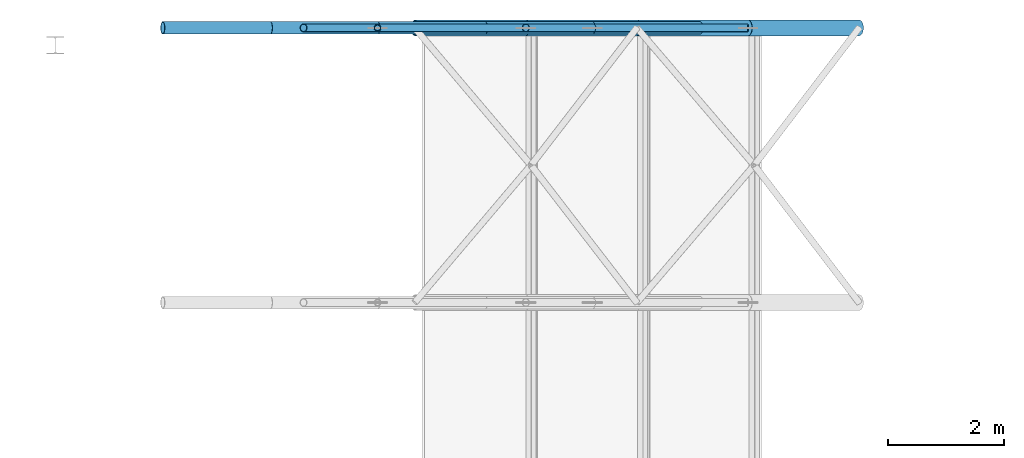
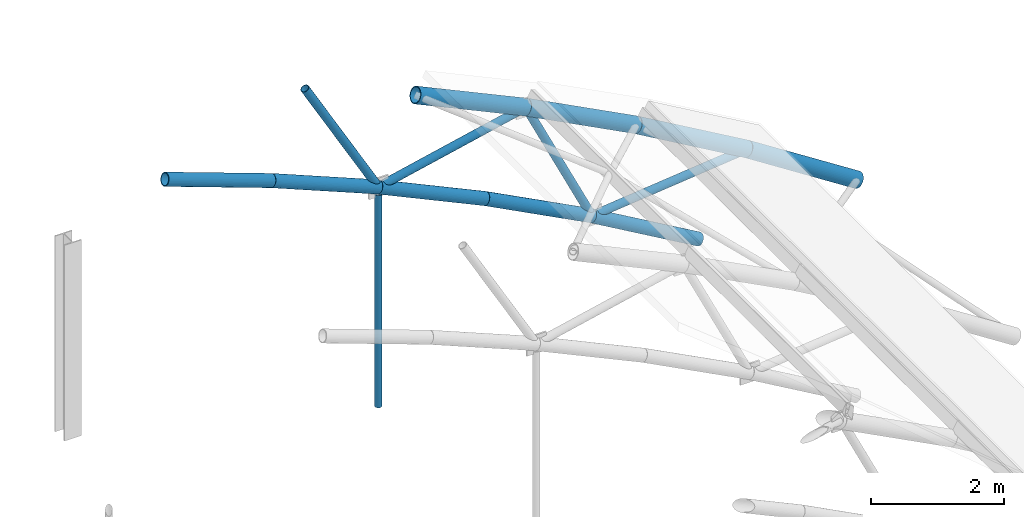
# One storey, part 25 of 50: 14 members.
"""IFC4 building model written with IfcOpenShell, lengths in metres."""

from ifc_helpers import new_model, si_unit, direction, frame, origin, origin_2d, place, context, subcontext, project, spatial, hollow_circle, extrude, material, material_profile, profile_set, type_object, element, save


model = new_model("IFC4")

# Units and contexts
model_context = context("Model", 3, precision=1e-05, world=origin(), true_north=direction((0.0, 1.0)))
body_context = subcontext(model_context, "Body", "Model", "MODEL_VIEW")
ifc_project = project(units=[si_unit("LENGTHUNIT", "METRE"), si_unit("AREAUNIT", "SQUARE_METRE"), si_unit("VOLUMEUNIT", "CUBIC_METRE"), si_unit("PLANEANGLEUNIT", "RADIAN"), si_unit("MASSUNIT", "GRAM", prefix="KILO")], contexts=[model_context])

# Site, building, storey
site_placement = place(None, origin())
site = spatial("IfcSite", under=ifc_project, at=site_placement, CompositionType="ELEMENT")
building_placement = place(site_placement, origin())
building = spatial("IfcBuilding", under=site, at=building_placement, Name="Elbe Cascade School", CompositionType="ELEMENT")
storey_placement = place(building_placement, frame((0.0, 0.0, 15.300048828125)))
storey = spatial("IfcBuildingStorey", under=building, at=storey_placement, Name="L04", CompositionType="ELEMENT", Elevation=15.300048828125)

# Members
ifc_material_1 = material(Name="Steel S355J2H", Category="steel")
ifc_material_profile_1 = material_profile(ifc_material_1, hollow_circle(Radius=0.109619140625, WallThickness=0.012451171875, at=origin_2d()), Name="CHS 219.1x12.5")
ifc_profile_set_1 = profile_set([ifc_material_profile_1], Name="Steel S355J2H")
member_type_1 = type_object("IfcMemberType", Name="Hall rib bottom chord CHS 219.1x12.5", PredefinedType="CHORD", material=ifc_profile_set_1)
member_1_placement = place(storey_placement, frame((48.857177734375, 69.5, 3.8408203125), z_axis=(0.939919624861, 0.0, -0.341395809582), x_axis=(0.0, 1.0, 0.0)))
element("IfcMember", 1, at=member_1_placement, inside=storey, type_object=member_type_1, Name="Hall rib bottom chord CHS 219.1x12.5 M3", PredefinedType="CHORD", context=body_context, shape_type="SweptSolid", body=[
    extrude(hollow_circle(Radius=0.109619140625, WallThickness=0.012451171875, at=origin_2d()), origin(), (0.0, 0.0, 1.0), 1.975830078125),
])
member_2_placement = place(storey_placement, frame((50.71435546875, 69.5, 3.166259765625), z_axis=(0.924348085413, 0.0, -0.381550281083), x_axis=(0.0, 1.0, 0.0)))
element("IfcMember", 2, at=member_2_placement, inside=storey, type_object=member_type_1, Name="Hall rib bottom chord CHS 219.1x12.5 M3", PredefinedType="CHORD", context=body_context, shape_type="SweptSolid", body=[
    extrude(hollow_circle(Radius=0.109619140625, WallThickness=0.012451171875, at=origin_2d()), origin(), (0.0, 0.0, 1.0), 2.00927734375),
])
member_3_placement = place(storey_placement, frame((52.571533203125, 69.5, 2.399658203125), z_axis=(0.90670626979, 0.0, -0.421762658759), x_axis=(0.0, 1.0, 0.0)))
element("IfcMember", 3, at=member_3_placement, inside=storey, type_object=member_type_1, Name="Hall rib bottom chord CHS 219.1x12.5 M3", PredefinedType="CHORD", context=body_context, shape_type="SweptSolid", body=[
    extrude(hollow_circle(Radius=0.109619140625, WallThickness=0.012451171875, at=origin_2d()), origin(), (0.0, 0.0, 1.0), 2.048095703125),
])
member_4_placement = place(storey_placement, frame((54.428466796875, 69.5, 1.535888671875), z_axis=(0.886913089016, 0.0, -0.461936329523), x_axis=(0.0, 1.0, 0.0)))
element("IfcMember", 4, at=member_4_placement, inside=storey, type_object=member_type_1, Name="Hall rib bottom chord CHS 219.1x12.5 M3", PredefinedType="CHORD", context=body_context, shape_type="SweptSolid", body=[
    extrude(hollow_circle(Radius=0.109619140625, WallThickness=0.012451171875, at=origin_2d()), origin(), (0.0, 0.0, 1.0), 2.093994140625),
])
member_5_placement = place(storey_placement, frame((56.28564453125, 69.5, 0.568603515625), z_axis=(0.864836718866, 0.0, -0.502053233931), x_axis=(0.0, 1.0, 0.0)))
element("IfcMember", 5, at=member_5_placement, inside=storey, type_object=member_type_1, Name="Hall rib bottom chord CHS 219.1x12.5 M3", PredefinedType="CHORD", context=body_context, shape_type="SweptSolid", body=[
    extrude(hollow_circle(Radius=0.109619140625, WallThickness=0.012451171875, at=origin_2d()), origin(), (0.0, 0.0, 1.0), 2.1474609375),
])
ifc_material_2 = material(Name="Steel S355J2H", Category="steel")
ifc_material_profile_2 = material_profile(ifc_material_2, hollow_circle(Radius=0.136474609375, WallThickness=0.012451171875, at=origin_2d()), Name="CHS 273x12.5")
ifc_profile_set_2 = profile_set([ifc_material_profile_2], Name="Steel S355J2H")
member_type_2 = type_object("IfcMemberType", Name="Hall rib top chord CHS 273x12.5", PredefinedType="CHORD", material=ifc_profile_set_2)
member_6_placement = place(storey_placement, frame((53.2138671875, 69.5, 3.864990234375), z_axis=(0.906697546089, 0.0, -0.421781412482), x_axis=(0.0, 1.0, 0.0)))
element("IfcMember", 6, at=member_6_placement, inside=storey, type_object=member_type_2, Name="Hall rib top chord CHS 273x12.5 M2", PredefinedType="CHORD", context=body_context, shape_type="SweptSolid", body=[
    extrude(hollow_circle(Radius=0.136474609375, WallThickness=0.012451171875, at=origin_2d()), origin(), (0.0, 0.0, 1.0), 2.119140625),
])
member_7_placement = place(storey_placement, frame((55.13525390625, 69.5, 2.97119140625), z_axis=(0.886958329454, 0.0, -0.461849457954), x_axis=(0.0, 1.0, 0.0)))
element("IfcMember", 7, at=member_7_placement, inside=storey, type_object=member_type_2, Name="Hall rib top chord CHS 273x12.5 M2", PredefinedType="CHORD", context=body_context, shape_type="SweptSolid", body=[
    extrude(hollow_circle(Radius=0.136474609375, WallThickness=0.012451171875, at=origin_2d()), origin(), (0.0, 0.0, 1.0), 2.166259765625),
])
member_8_placement = place(storey_placement, frame((57.056640625, 69.5, 1.970703125), z_axis=(0.86482126995, 0.0, -0.502079845286), x_axis=(0.0, 1.0, 0.0)))
element("IfcMember", 8, at=member_8_placement, inside=storey, type_object=member_type_2, Name="Hall rib top chord CHS 273x12.5 M2", PredefinedType="CHORD", context=body_context, shape_type="SweptSolid", body=[
    extrude(hollow_circle(Radius=0.136474609375, WallThickness=0.012451171875, at=origin_2d()), origin(), (0.0, 0.0, 1.0), 2.2216796875),
])
member_9_placement = place(storey_placement, frame((58.97802734375, 69.5, 0.855224609375), z_axis=(0.840219764602, 0.0, -0.542246020891), x_axis=(0.0, 1.0, 0.0)))
element("IfcMember", 9, at=member_9_placement, inside=storey, type_object=member_type_2, Name="Hall rib top chord CHS 273x12.5 M2", PredefinedType="CHORD", context=body_context, shape_type="SweptSolid", body=[
    extrude(hollow_circle(Radius=0.136474609375, WallThickness=0.012451171875, at=origin_2d()), origin(), (0.0, 0.0, 1.0), 2.286865234375),
])
ifc_material_3 = material(Name="Steel S355J2H", Category="steel")
ifc_material_profile_3 = material_profile(ifc_material_3, hollow_circle(Radius=0.06982421875, WallThickness=0.008056640625, at=origin_2d()), Name="CHS 139.7x8")
ifc_profile_set_3 = profile_set([ifc_material_profile_3], Name="Steel S355J2H")
member_type_3 = type_object("IfcMemberType", Name="Hall rib web CHS 139.7x8", PredefinedType="BRACE", material=ifc_profile_set_3)
member_10_placement = place(storey_placement, frame((51.29248046875, 69.5, 4.657958984375), z_axis=(0.492822683539, 0.0, -0.870129761926), x_axis=(0.0, 1.0, 0.0)))
element("IfcMember", 10, at=member_10_placement, inside=storey, type_object=member_type_3, Name="Hall rib web CHS 139.7x8 M4", PredefinedType="BRACE", context=body_context, shape_type="SweptSolid", body=[
    extrude(hollow_circle(Radius=0.06982421875, WallThickness=0.008056640625, at=origin_2d()), origin(), (0.0, 0.0, 1.0), 2.595458984375),
])
member_11_placement = place(storey_placement, frame((52.571533203125, 69.5, 2.399658203125), z_axis=(0.976040308699, 0.0, 0.217589787893), x_axis=(0.0, 1.0, 0.0)))
element("IfcMember", 11, at=member_11_placement, inside=storey, type_object=member_type_3, Name="Hall rib web CHS 139.7x8 M4", PredefinedType="BRACE", context=body_context, shape_type="SweptSolid", body=[
    extrude(hollow_circle(Radius=0.06982421875, WallThickness=0.008056640625, at=origin_2d()), origin(), (0.0, 0.0, 1.0), 2.626708984375),
])
member_12_placement = place(storey_placement, frame((55.13525390625, 69.5, 2.97119140625), z_axis=(0.431860834408, 0.0, -0.901940252846), x_axis=(0.0, 1.0, 0.0)))
element("IfcMember", 12, at=member_12_placement, inside=storey, type_object=member_type_3, Name="Hall rib web CHS 139.7x8 M4", PredefinedType="BRACE", context=body_context, shape_type="SweptSolid", body=[
    extrude(hollow_circle(Radius=0.06982421875, WallThickness=0.008056640625, at=origin_2d()), origin(), (0.0, 0.0, 1.0), 2.663818359375),
])
member_13_placement = place(storey_placement, frame((56.28564453125, 69.5, 0.568603515625), z_axis=(0.994381241781, 0.0, 0.1058581409), x_axis=(0.0, 1.0, 0.0)))
element("IfcMember", 13, at=member_13_placement, inside=storey, type_object=member_type_3, Name="Hall rib web CHS 139.7x8 M4", PredefinedType="BRACE", context=body_context, shape_type="SweptSolid", body=[
    extrude(hollow_circle(Radius=0.06982421875, WallThickness=0.008056640625, at=origin_2d()), origin(), (0.0, 0.0, 1.0), 2.70751953125),
])
ifc_material_4 = material(Name="Steel S355J2H", Category="steel")
ifc_material_profile_4 = material_profile(ifc_material_4, hollow_circle(Radius=0.05712890625, WallThickness=0.00634765625, at=origin_2d()), Name="CHS 114.3x6.3")
ifc_profile_set_4 = profile_set([ifc_material_profile_4], Name="Steel S355J2H")
member_type_4 = type_object("IfcMemberType", Name="Hall tie hanger CHS 114.3x6.3", PredefinedType="POST", material=ifc_profile_set_4)
member_14_placement = place(storey_placement, frame((52.571533203125, 69.5, -1.623779296875), z_axis=(0.0, 0.0, 1.0), x_axis=(1.0, 0.0, 0.0)))
element("IfcMember", 14, at=member_14_placement, inside=storey, type_object=member_type_4, Name="Hall tie hanger CHS 114.3x6.3 M7", PredefinedType="POST", context=body_context, shape_type="SweptSolid", body=[
    extrude(hollow_circle(Radius=0.05712890625, WallThickness=0.00634765625, at=origin_2d()), origin(), (0.0, 0.0, 1.0), 3.90380859375),
])

save(model, "model.ifc")
